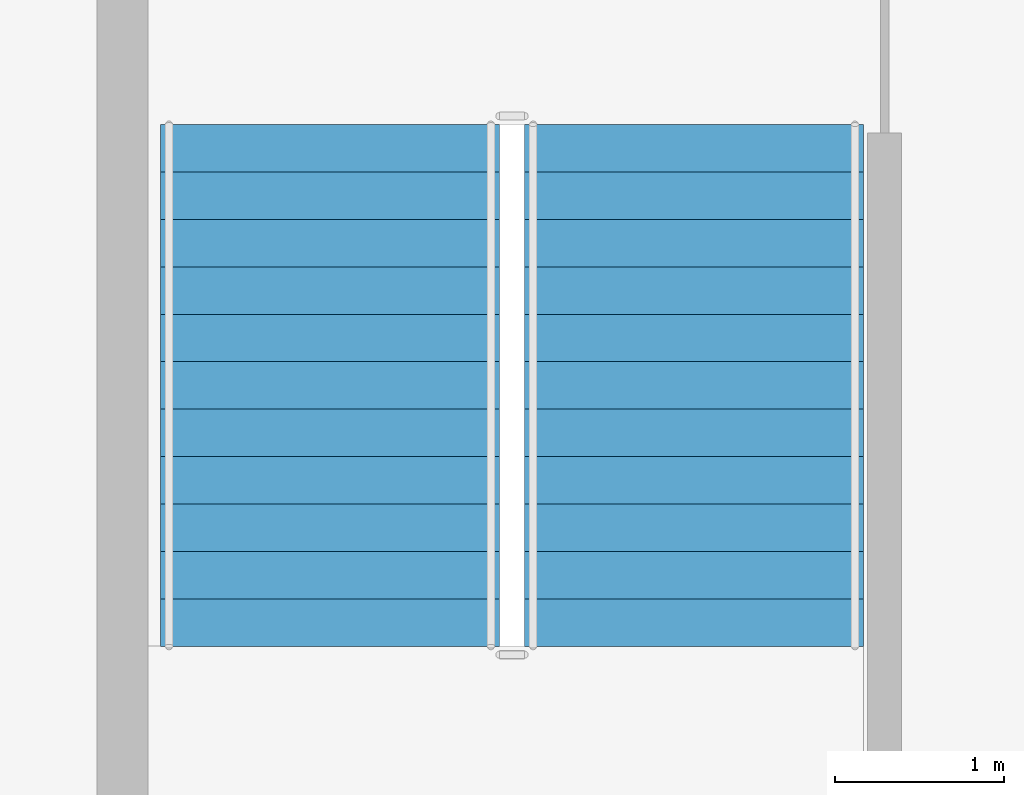
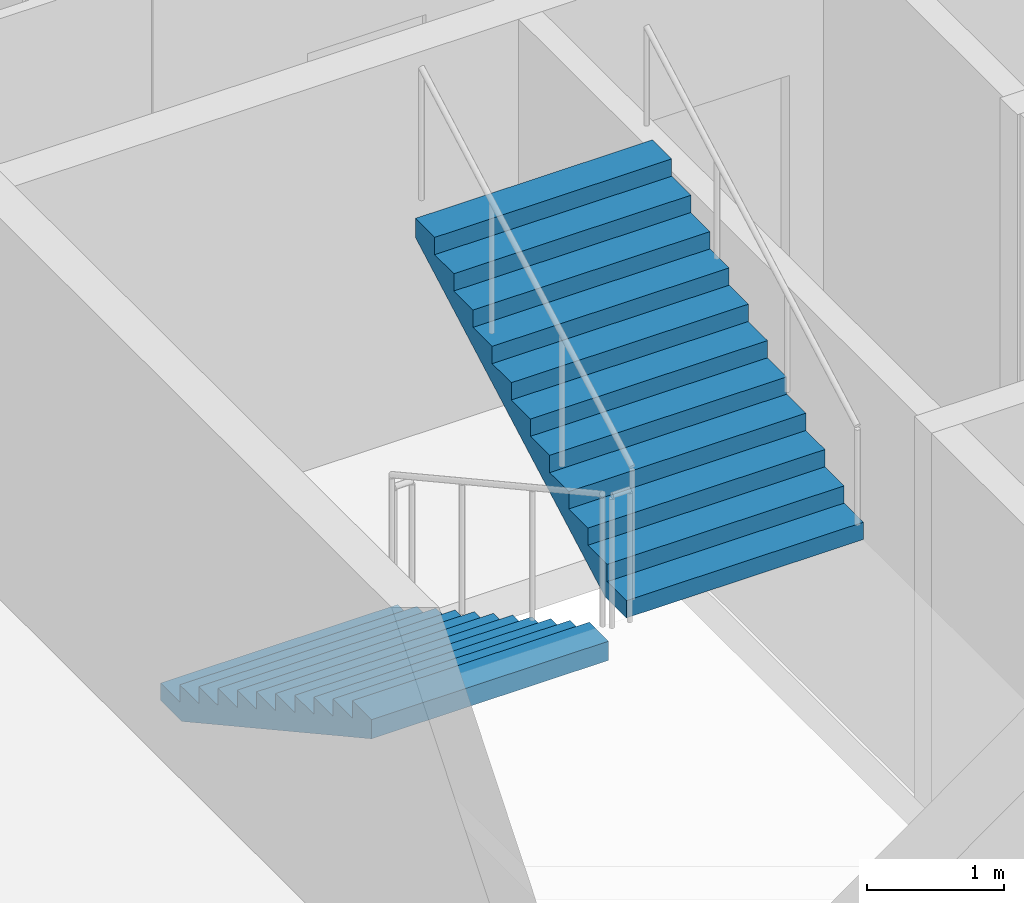
# One storey, part 7 of 11: 2 stair flights, 1 element without a shape of its own.
"""IFC4 building model written with IfcOpenShell, lengths in metres."""

import ifcopenshell
import ifcopenshell.guid

model = None  # the IFC model being written
_history = None  # IfcOwnerHistory: only IFC2X3 demands one
_inside = {}  # id of a spatial element -> (the spatial element, [elements in it])
_under = {}  # id of a project, library or spatial element -> (it, [spatial elements below it])
_declared = {}  # id of a project -> (the project, [libraries it declares])
_typed = {}  # id of a type object -> (the type object, [elements of that type])
_made_of = {}  # id of a material, layer set ... -> (it, [elements and type objects made of it])


def new_model(schema):
    """Start an empty IFC model of exactly this schema.

    Asked for "IFC4X3", IfcOpenShell would pick the latest addendum, in which some entities
    have other attributes; the version numbers below select the first issue.
    IFC2X3 requires an IfcOwnerHistory on every rooted entity: one is made here for all.
    """
    global model, _history
    if schema == "IFC4X3":
        model = ifcopenshell.file(schema_version=(4, 3, 0, 0))
    else:
        model = ifcopenshell.file(schema=schema)
    _inside.clear()
    _under.clear()
    _declared.clear()
    _typed.clear()
    _made_of.clear()
    _history = None
    if model.schema == "IFC2X3":
        org = make("IfcOrganization", Name="unknown")
        user = make(
            "IfcPersonAndOrganization",
            ThePerson=make("IfcPerson", FamilyName="unknown"),
            TheOrganization=org,
        )
        app = make(
            "IfcApplication",
            ApplicationDeveloper=org,
            Version="unknown",
            ApplicationFullName="unknown",
            ApplicationIdentifier="unknown",
        )
        _history = make(
            "IfcOwnerHistory",
            OwningUser=user,
            OwningApplication=app,
            ChangeAction="ADDED",
            CreationDate=0,
        )
    return model


def make(cls, **values):
    """One entity of the class cls with the attributes given. An attribute that is None is left unset."""
    return model.create_entity(
        cls, **{name: value for name, value in values.items() if value is not None}
    )


def rooted(cls, **values):
    """An entity with a GlobalId (a new one), such as an element, a storey or a relation."""
    return make(cls, GlobalId=ifcopenshell.guid.new(), OwnerHistory=_history, **values)


def si_unit(unit_type, name, prefix=None):
    """IfcSIUnit, for example si_unit("LENGTHUNIT", "METRE", prefix="MILLI")."""
    return make("IfcSIUnit", UnitType=unit_type, Prefix=prefix, Name=name)


def assignment(units):
    """IfcUnitAssignment: the units of a project."""
    return None if units is None else make("IfcUnitAssignment", Units=units)


def point(xyz):
    """IfcCartesianPoint."""
    return None if xyz is None else make("IfcCartesianPoint", Coordinates=xyz)


def direction(xyz):
    """IfcDirection."""
    return None if xyz is None else make("IfcDirection", DirectionRatios=xyz)


def frame(location, z_axis=None, x_axis=None):
    """IfcAxis2Placement3D, a coordinate frame: its origin and axes. An axis left out is left unset."""
    return make(
        "IfcAxis2Placement3D",
        Location=point(location),
        Axis=direction(z_axis),
        RefDirection=direction(x_axis),
    )


def origin():
    """The frame at (0, 0, 0) with its axes left unset."""
    return frame((0.0, 0.0, 0.0))


def place(relative_to, where):
    """IfcLocalPlacement: puts the frame where relative to a parent placement (None: the world)."""
    return make(
        "IfcLocalPlacement", PlacementRelTo=relative_to, RelativePlacement=where
    )


def context(
    kind, dimensions, precision=None, world=None, true_north=None, identifier=None
):
    """IfcGeometricRepresentationContext, for example the 3D "Model" context."""
    return make(
        "IfcGeometricRepresentationContext",
        ContextIdentifier=identifier,
        ContextType=kind,
        CoordinateSpaceDimension=dimensions,
        Precision=precision,
        WorldCoordinateSystem=world,
        TrueNorth=true_north,
    )


def subcontext(parent, identifier, kind, view, scale=None):
    """IfcGeometricRepresentationSubContext, for example "Body" below "Model"."""
    return make(
        "IfcGeometricRepresentationSubContext",
        ContextIdentifier=identifier,
        ContextType=kind,
        ParentContext=parent,
        TargetScale=scale,
        TargetView=view,
    )


def project(units=None, contexts=None):
    """IfcProject with its units and contexts."""
    return rooted(
        "IfcProject",
        Name="project",
        RepresentationContexts=contexts,
        UnitsInContext=assignment(units),
    )


def spatial(cls, under=None, at=None, **own):
    """A site, building, storey or space (cls), placed at a placement, below another one or the project."""
    s = rooted(cls, ObjectPlacement=at, **own)
    if under is not None:
        _under.setdefault(under.id(), (under, []))[1].append(s)
    return s


def point_list(points):
    """IfcCartesianPointList2D or 3D."""
    cls = (
        "IfcCartesianPointList2D" if len(points[0]) == 2 else "IfcCartesianPointList3D"
    )
    return make(cls, CoordList=points)


def polygons(points, faces, closed=None, point_numbers=None):
    """IfcPolygonalFaceSet: a face is its outer loop, then its inner loops; points numbered from 1."""
    made = []
    for loops in faces:
        if len(loops) == 1:
            made.append(make("IfcIndexedPolygonalFace", CoordIndex=loops[0]))
        else:
            made.append(
                make(
                    "IfcIndexedPolygonalFaceWithVoids",
                    CoordIndex=loops[0],
                    InnerCoordIndices=loops[1:],
                )
            )
    return make(
        "IfcPolygonalFaceSet",
        Coordinates=point_list(points),
        Closed=closed,
        Faces=made,
        PnIndex=point_numbers,
    )


def shape(context_of_items, identifier, shape_type, items):
    """IfcShapeRepresentation: the items that make up one representation, for example the "Body"."""
    return make(
        "IfcShapeRepresentation",
        ContextOfItems=context_of_items,
        RepresentationIdentifier=identifier,
        RepresentationType=shape_type,
        Items=items,
    )


def material(Name=None, Category=None):
    """IfcMaterial."""
    return make("IfcMaterial", Name=Name, Category=Category)


def made_of(thing, what):
    """Note that an element or type object is made of a material, layer set ...; save() writes the relation."""
    if what is not None:
        _made_of.setdefault(what.id(), (what, []))[1].append(thing)
    return thing


def type_object(cls, material=None, **own):
    """A type object (cls), such as IfcWallType, which elements share."""
    return made_of(rooted(cls, **own), material)


def element(
    cls,
    number,
    at=None,
    inside=None,
    cuts=None,
    type_object=None,
    material=None,
    context=None,
    identifier="Body",
    shape_type=None,
    held_by="IfcProductDefinitionShape",
    body=None,
    shapes=None,
    **own,
):
    """One element of the class cls, such as IfcWall. Its Tag is "e" and its number.

    at: its placement. inside: the storey or other place that contains it. cuts: it is an
    opening in that element (IfcRelVoidsElement). A single representation is given by context,
    identifier, shape_type and body (its items); several are given by shapes. held_by: the class
    of the entity that holds the representations. save() writes the other relations.
    """
    e = rooted(cls, Tag="e%d" % number, ObjectPlacement=at, **own)
    if body is not None:
        shapes = [shape(context, identifier, shape_type, body)]
    if shapes is not None:
        e.Representation = make(held_by, Representations=shapes)
    if inside is not None:
        _inside.setdefault(inside.id(), (inside, []))[1].append(e)
    if cuts is not None:
        rooted(
            "IfcRelVoidsElement", RelatingBuildingElement=cuts, RelatedOpeningElement=e
        )
    if type_object is not None:
        _typed.setdefault(type_object.id(), (type_object, []))[1].append(e)
    return made_of(e, material)


def aggregate(whole, parts):
    """IfcRelAggregates: a whole, such as a stair, and the parts it consists of."""
    return rooted("IfcRelAggregates", RelatingObject=whole, RelatedObjects=parts)


def save(model, path):
    """Write the relations noted so far, then the file.

    IfcRelAggregates (storeys below a building ...), IfcRelContainedInSpatialStructure (elements
    in a storey), IfcRelDefinesByType, IfcRelAssociatesMaterial and IfcRelDeclares: one each for
    every whole, place, type object, material and project.
    """
    for whole, parts in _under.values():
        aggregate(whole, parts)
    for where, things in _inside.values():
        rooted(
            "IfcRelContainedInSpatialStructure",
            RelatedElements=things,
            RelatingStructure=where,
        )
    for kind, things in _typed.values():
        rooted("IfcRelDefinesByType", RelatedObjects=things, RelatingType=kind)
    for what, things in _made_of.values():
        rooted("IfcRelAssociatesMaterial", RelatedObjects=things, RelatingMaterial=what)
    for by, libraries in _declared.values():
        rooted("IfcRelDeclares", RelatingContext=by, RelatedDefinitions=libraries)
    model.write(path)


model = new_model("IFC4")

# Units and contexts
model_context = context("Model", 3, precision=1e-05, world=origin(), true_north=direction((0.0, 1.0)))
body_context = subcontext(model_context, "Body", "Model", "MODEL_VIEW")
ifc_project = project(units=[si_unit("LENGTHUNIT", "METRE"), si_unit("AREAUNIT", "SQUARE_METRE"), si_unit("VOLUMEUNIT", "CUBIC_METRE"), si_unit("PLANEANGLEUNIT", "RADIAN"), si_unit("MASSUNIT", "GRAM", prefix="KILO")], contexts=[model_context])

# Site, building, storey
site_placement = place(None, origin())
site = spatial("IfcSite", under=ifc_project, at=site_placement, CompositionType="ELEMENT")
building_placement = place(site_placement, origin())
building = spatial("IfcBuilding", under=site, at=building_placement, Name="Caravel Reach Hotel and Residences", CompositionType="ELEMENT")
storey_placement = place(building_placement, frame((0.0, 0.0, 298.199951171875)))
storey = spatial("IfcBuildingStorey", under=building, at=storey_placement, Name="L76", CompositionType="ELEMENT", Elevation=298.199951171875)

# Stair, stair flights
ifc_material_1 = material(Name="Concrete C40", Category="concrete")
stair_type = type_object("IfcStairType", Name="Core stair", PredefinedType="HALF_TURN_STAIR", material=ifc_material_1)
stair_placement = place(storey_placement, origin())
stair = element("IfcStair", 1, at=stair_placement, inside=storey, type_object=stair_type, Name="L76 Exit stair A", PredefinedType="HALF_TURN_STAIR")
ifc_material_2 = material(Name="Concrete C40", Category="concrete")
stair_flight_type = type_object("IfcStairFlightType", Name="Core stair flight", PredefinedType="STRAIGHT", material=ifc_material_2)
stair_flight_1_placement = place(storey_placement, frame((19.22509765625, 29.35009765625, 0.0), z_axis=(0.0, 0.0, 1.0), x_axis=(0.0, -1.0, 0.0)))
stair_flight_1 = element("IfcStairFlight", 2, at=stair_flight_1_placement, type_object=stair_flight_type, Name="ST-A flight 1", NumberOfRisers=12, NumberOfTreads=11, PredefinedType="STRAIGHT", RiserHeight=0.154166667, TreadLength=0.28, context=body_context, shape_type="Tessellation", body=[
    polygons([(0.3107950034306102, 1.0, 0.0), (0.3107950034306102, 0.6666666666666667, 0.0), (0.3107950034306102, 0.33333333333333337, 0.0), (0.3107950034306102, 0.0, 0.0), (0.3107950034306102, -0.33333333333333326, 0.0), (0.3107950034306102, -0.6666666666666667, 0.0), (0.3107950034306102, -1.0, 0.0), (3.081, 1.0, 1.524711087717319), (3.081, 0.6666666666666667, 1.524711087717319), (3.081, 0.33333333333333337, 1.524711087717319), (3.081, 0.0, 1.524711087717319), (3.081, -0.33333333333333326, 1.524711087717319), (3.081, -0.6666666666666667, 1.524711087717319), (3.081, -1.0, 1.524711087717319), (3.081, 1.0, 1.695833337), (3.081, 0.6666666666666667, 1.695833337), (3.081, 0.33333333333333337, 1.695833337), (3.081, 0.0, 1.695833337), (3.081, -0.33333333333333326, 1.695833337), (3.081, -0.6666666666666667, 1.695833337), (3.081, -1.0, 1.695833337), (2.8000000000000003, 1.0, 1.695833337), (2.8000000000000003, 0.6666666666666667, 1.695833337), (2.8000000000000003, 0.33333333333333337, 1.695833337), (2.8000000000000003, 0.0, 1.695833337), (2.8000000000000003, -0.33333333333333326, 1.695833337), (2.8000000000000003, -0.6666666666666667, 1.695833337), (2.8000000000000003, -1.0, 1.695833337), (2.8000000000000003, 1.0, 1.5416666700000001), (2.8000000000000003, 0.6666666666666667, 1.5416666700000001), (2.8000000000000003, 0.33333333333333337, 1.5416666700000001), (2.8000000000000003, 0.0, 1.5416666700000001), (2.8000000000000003, -0.33333333333333326, 1.5416666700000001), (2.8000000000000003, -0.6666666666666667, 1.5416666700000001), (2.8000000000000003, -1.0, 1.5416666700000001), (2.5200000000000005, 1.0, 1.5416666700000001), (2.5200000000000005, 0.6666666666666667, 1.5416666700000001), (2.5200000000000005, 0.33333333333333337, 1.5416666700000001), (2.5200000000000005, 0.0, 1.5416666700000001), (2.5200000000000005, -0.33333333333333326, 1.5416666700000001), (2.5200000000000005, -0.6666666666666667, 1.5416666700000001), (2.5200000000000005, -1.0, 1.5416666700000001), (2.5200000000000005, 1.0, 1.387500003), (2.5200000000000005, 0.6666666666666667, 1.387500003), (2.5200000000000005, 0.33333333333333337, 1.387500003), (2.5200000000000005, 0.0, 1.387500003), (2.5200000000000005, -0.33333333333333326, 1.387500003), (2.5200000000000005, -0.6666666666666667, 1.387500003), (2.5200000000000005, -1.0, 1.387500003), (2.24, 1.0, 1.387500003), (2.24, 0.6666666666666667, 1.387500003), (2.24, 0.33333333333333337, 1.387500003), (2.24, 0.0, 1.387500003), (2.24, -0.33333333333333326, 1.387500003), (2.24, -0.6666666666666667, 1.387500003), (2.24, -1.0, 1.387500003), (2.24, 1.0, 1.233333336), (2.24, 0.6666666666666667, 1.233333336), (2.24, 0.33333333333333337, 1.233333336), (2.24, 0.0, 1.233333336), (2.24, -0.33333333333333326, 1.233333336), (2.24, -0.6666666666666667, 1.233333336), (2.24, -1.0, 1.233333336), (1.9600000000000002, 1.0, 1.233333336), (1.9600000000000002, 0.6666666666666667, 1.233333336), (1.9600000000000002, 0.33333333333333337, 1.233333336), (1.9600000000000002, 0.0, 1.233333336), (1.9600000000000002, -0.33333333333333326, 1.233333336), (1.9600000000000002, -0.6666666666666667, 1.233333336), (1.9600000000000002, -1.0, 1.233333336), (1.9600000000000002, 1.0, 1.0791666690000001), (1.9600000000000002, 0.6666666666666667, 1.0791666690000001), (1.9600000000000002, 0.33333333333333337, 1.0791666690000001), (1.9600000000000002, 0.0, 1.0791666690000001), (1.9600000000000002, -0.33333333333333326, 1.0791666690000001), (1.9600000000000002, -0.6666666666666667, 1.0791666690000001), (1.9600000000000002, -1.0, 1.0791666690000001), (1.6800000000000002, 1.0, 1.0791666690000001), (1.6800000000000002, 0.6666666666666667, 1.0791666690000001), (1.6800000000000002, 0.33333333333333337, 1.0791666690000001), (1.6800000000000002, 0.0, 1.0791666690000001), (1.6800000000000002, -0.33333333333333326, 1.0791666690000001), (1.6800000000000002, -0.6666666666666667, 1.0791666690000001), (1.6800000000000002, -1.0, 1.0791666690000001), (1.6800000000000002, 1.0, 0.925000002), (1.6800000000000002, 0.6666666666666667, 0.925000002), (1.6800000000000002, 0.33333333333333337, 0.925000002), (1.6800000000000002, 0.0, 0.925000002), (1.6800000000000002, -0.33333333333333326, 0.925000002), (1.6800000000000002, -0.6666666666666667, 0.925000002), (1.6800000000000002, -1.0, 0.925000002), (1.4000000000000001, 1.0, 0.925000002), (1.4000000000000001, 0.6666666666666667, 0.925000002), (1.4000000000000001, 0.33333333333333337, 0.925000002), (1.4000000000000001, 0.0, 0.925000002), (1.4000000000000001, -0.33333333333333326, 0.925000002), (1.4000000000000001, -0.6666666666666667, 0.925000002), (1.4000000000000001, -1.0, 0.925000002), (1.4000000000000001, 1.0, 0.7708333350000001), (1.4000000000000001, 0.6666666666666667, 0.7708333350000001), (1.4000000000000001, 0.33333333333333337, 0.7708333350000001), (1.4000000000000001, 0.0, 0.7708333350000001), (1.4000000000000001, -0.33333333333333326, 0.7708333350000001), (1.4000000000000001, -0.6666666666666667, 0.7708333350000001), (1.4000000000000001, -1.0, 0.7708333350000001), (1.12, 1.0, 0.7708333350000001), (1.12, 0.6666666666666667, 0.7708333350000001), (1.12, 0.33333333333333337, 0.7708333350000001), (1.12, 0.0, 0.7708333350000001), (1.12, -0.33333333333333326, 0.7708333350000001), (1.12, -0.6666666666666667, 0.7708333350000001), (1.12, -1.0, 0.7708333350000001), (1.12, 1.0, 0.616666668), (1.12, 0.6666666666666667, 0.616666668), (1.12, 0.33333333333333337, 0.616666668), (1.12, 0.0, 0.616666668), (1.12, -0.33333333333333326, 0.616666668), (1.12, -0.6666666666666667, 0.616666668), (1.12, -1.0, 0.616666668), (0.8400000000000001, 1.0, 0.616666668), (0.8400000000000001, 0.6666666666666667, 0.616666668), (0.8400000000000001, 0.33333333333333337, 0.616666668), (0.8400000000000001, 0.0, 0.616666668), (0.8400000000000001, -0.33333333333333326, 0.616666668), (0.8400000000000001, -0.6666666666666667, 0.616666668), (0.8400000000000001, -1.0, 0.616666668), (0.8400000000000001, 1.0, 0.462500001), (0.8400000000000001, 0.6666666666666667, 0.462500001), (0.8400000000000001, 0.33333333333333337, 0.462500001), (0.8400000000000001, 0.0, 0.462500001), (0.8400000000000001, -0.33333333333333326, 0.462500001), (0.8400000000000001, -0.6666666666666667, 0.462500001), (0.8400000000000001, -1.0, 0.462500001), (0.56, 1.0, 0.462500001), (0.56, 0.6666666666666667, 0.462500001), (0.56, 0.33333333333333337, 0.462500001), (0.56, 0.0, 0.462500001), (0.56, -0.33333333333333326, 0.462500001), (0.56, -0.6666666666666667, 0.462500001), (0.56, -1.0, 0.462500001), (0.56, 1.0, 0.308333334), (0.56, 0.6666666666666667, 0.308333334), (0.56, 0.33333333333333337, 0.308333334), (0.56, 0.0, 0.308333334), (0.56, -0.33333333333333326, 0.308333334), (0.56, -0.6666666666666667, 0.308333334), (0.56, -1.0, 0.308333334), (0.28, 1.0, 0.308333334), (0.28, 0.6666666666666667, 0.308333334), (0.28, 0.33333333333333337, 0.308333334), (0.28, 0.0, 0.308333334), (0.28, -0.33333333333333326, 0.308333334), (0.28, -0.6666666666666667, 0.308333334), (0.28, -1.0, 0.308333334), (0.28, 1.0, 0.154166667), (0.28, 0.6666666666666667, 0.154166667), (0.28, 0.33333333333333337, 0.154166667), (0.28, 0.0, 0.154166667), (0.28, -0.33333333333333326, 0.154166667), (0.28, -0.6666666666666667, 0.154166667), (0.28, -1.0, 0.154166667), (-0.001, 1.0, 0.154166667), (-0.001, 0.6666666666666667, 0.154166667), (-0.001, 0.33333333333333337, 0.154166667), (-0.001, 0.0, 0.154166667), (-0.001, -0.33333333333333326, 0.154166667), (-0.001, -0.6666666666666667, 0.154166667), (-0.001, -1.0, 0.154166667), (-0.001, 1.0, 0.0), (-0.001, 0.6666666666666667, 0.0), (-0.001, 0.33333333333333337, 0.0), (-0.001, 0.0, 0.0), (-0.001, -0.33333333333333326, 0.0), (-0.001, -0.6666666666666667, 0.0), (-0.001, -1.0, 0.0)], [[[169, 162, 155, 148, 141, 134, 127, 120, 113, 106, 99, 92, 85, 78, 71, 64, 57, 50, 43, 36, 29, 22, 15, 8, 1]], [[7, 14, 21, 28, 35, 42, 49, 56, 63, 70, 77, 84, 91, 98, 105, 112, 119, 126, 133, 140, 147, 154, 161, 168, 175]], [[1, 8, 9, 2]], [[2, 9, 10, 3]], [[3, 10, 11, 4]], [[4, 11, 12, 5]], [[5, 12, 13, 6]], [[6, 13, 14, 7]], [[8, 15, 16, 9]], [[9, 16, 17, 10]], [[10, 17, 18, 11]], [[11, 18, 19, 12]], [[12, 19, 20, 13]], [[13, 20, 21, 14]], [[15, 22, 23, 16]], [[16, 23, 24, 17]], [[17, 24, 25, 18]], [[18, 25, 26, 19]], [[19, 26, 27, 20]], [[20, 27, 28, 21]], [[22, 29, 30, 23]], [[23, 30, 31, 24]], [[24, 31, 32, 25]], [[25, 32, 33, 26]], [[26, 33, 34, 27]], [[27, 34, 35, 28]], [[29, 36, 37, 30]], [[30, 37, 38, 31]], [[31, 38, 39, 32]], [[32, 39, 40, 33]], [[33, 40, 41, 34]], [[34, 41, 42, 35]], [[36, 43, 44, 37]], [[37, 44, 45, 38]], [[38, 45, 46, 39]], [[39, 46, 47, 40]], [[40, 47, 48, 41]], [[41, 48, 49, 42]], [[43, 50, 51, 44]], [[44, 51, 52, 45]], [[45, 52, 53, 46]], [[46, 53, 54, 47]], [[47, 54, 55, 48]], [[48, 55, 56, 49]], [[50, 57, 58, 51]], [[51, 58, 59, 52]], [[52, 59, 60, 53]], [[53, 60, 61, 54]], [[54, 61, 62, 55]], [[55, 62, 63, 56]], [[57, 64, 65, 58]], [[58, 65, 66, 59]], [[59, 66, 67, 60]], [[60, 67, 68, 61]], [[61, 68, 69, 62]], [[62, 69, 70, 63]], [[64, 71, 72, 65]], [[65, 72, 73, 66]], [[66, 73, 74, 67]], [[67, 74, 75, 68]], [[68, 75, 76, 69]], [[69, 76, 77, 70]], [[71, 78, 79, 72]], [[72, 79, 80, 73]], [[73, 80, 81, 74]], [[74, 81, 82, 75]], [[75, 82, 83, 76]], [[76, 83, 84, 77]], [[78, 85, 86, 79]], [[79, 86, 87, 80]], [[80, 87, 88, 81]], [[81, 88, 89, 82]], [[82, 89, 90, 83]], [[83, 90, 91, 84]], [[85, 92, 93, 86]], [[86, 93, 94, 87]], [[87, 94, 95, 88]], [[88, 95, 96, 89]], [[89, 96, 97, 90]], [[90, 97, 98, 91]], [[92, 99, 100, 93]], [[93, 100, 101, 94]], [[94, 101, 102, 95]], [[95, 102, 103, 96]], [[96, 103, 104, 97]], [[97, 104, 105, 98]], [[99, 106, 107, 100]], [[100, 107, 108, 101]], [[101, 108, 109, 102]], [[102, 109, 110, 103]], [[103, 110, 111, 104]], [[104, 111, 112, 105]], [[106, 113, 114, 107]], [[107, 114, 115, 108]], [[108, 115, 116, 109]], [[109, 116, 117, 110]], [[110, 117, 118, 111]], [[111, 118, 119, 112]], [[113, 120, 121, 114]], [[114, 121, 122, 115]], [[115, 122, 123, 116]], [[116, 123, 124, 117]], [[117, 124, 125, 118]], [[118, 125, 126, 119]], [[120, 127, 128, 121]], [[121, 128, 129, 122]], [[122, 129, 130, 123]], [[123, 130, 131, 124]], [[124, 131, 132, 125]], [[125, 132, 133, 126]], [[127, 134, 135, 128]], [[128, 135, 136, 129]], [[129, 136, 137, 130]], [[130, 137, 138, 131]], [[131, 138, 139, 132]], [[132, 139, 140, 133]], [[134, 141, 142, 135]], [[135, 142, 143, 136]], [[136, 143, 144, 137]], [[137, 144, 145, 138]], [[138, 145, 146, 139]], [[139, 146, 147, 140]], [[141, 148, 149, 142]], [[142, 149, 150, 143]], [[143, 150, 151, 144]], [[144, 151, 152, 145]], [[145, 152, 153, 146]], [[146, 153, 154, 147]], [[148, 155, 156, 149]], [[149, 156, 157, 150]], [[150, 157, 158, 151]], [[151, 158, 159, 152]], [[152, 159, 160, 153]], [[153, 160, 161, 154]], [[155, 162, 163, 156]], [[156, 163, 164, 157]], [[157, 164, 165, 158]], [[158, 165, 166, 159]], [[159, 166, 167, 160]], [[160, 167, 168, 161]], [[162, 169, 170, 163]], [[163, 170, 171, 164]], [[164, 171, 172, 165]], [[165, 172, 173, 166]], [[166, 173, 174, 167]], [[167, 174, 175, 168]], [[169, 1, 2, 170]], [[170, 2, 3, 171]], [[171, 3, 4, 172]], [[172, 4, 5, 173]], [[173, 5, 6, 174]], [[174, 6, 7, 175]]], closed=True),
])
stair_flight_2_placement = place(storey_placement, frame((21.375, 26.27001953125, 1.85009765625), z_axis=(0.0, 0.0, 1.0), x_axis=(0.0, 1.0, 0.0)))
stair_flight_2 = element("IfcStairFlight", 3, at=stair_flight_2_placement, type_object=stair_flight_type, Name="ST-A flight 2", NumberOfRisers=12, NumberOfTreads=11, PredefinedType="STRAIGHT", RiserHeight=0.154166667, TreadLength=0.28, context=body_context, shape_type="Tessellation", body=[
    polygons([(0.3107950034306102, 1.0, 0.0), (0.3107950034306102, 0.6666666666666667, 0.0), (0.3107950034306102, 0.33333333333333337, 0.0), (0.3107950034306102, 0.0, 0.0), (0.3107950034306102, -0.33333333333333326, 0.0), (0.3107950034306102, -0.6666666666666667, 0.0), (0.3107950034306102, -1.0, 0.0), (3.081, 1.0, 1.524711087717319), (3.081, 0.6666666666666667, 1.524711087717319), (3.081, 0.33333333333333337, 1.524711087717319), (3.081, 0.0, 1.524711087717319), (3.081, -0.33333333333333326, 1.524711087717319), (3.081, -0.6666666666666667, 1.524711087717319), (3.081, -1.0, 1.524711087717319), (3.081, 1.0, 1.695833337), (3.081, 0.6666666666666667, 1.695833337), (3.081, 0.33333333333333337, 1.695833337), (3.081, 0.0, 1.695833337), (3.081, -0.33333333333333326, 1.695833337), (3.081, -0.6666666666666667, 1.695833337), (3.081, -1.0, 1.695833337), (2.8000000000000003, 1.0, 1.695833337), (2.8000000000000003, 0.6666666666666667, 1.695833337), (2.8000000000000003, 0.33333333333333337, 1.695833337), (2.8000000000000003, 0.0, 1.695833337), (2.8000000000000003, -0.33333333333333326, 1.695833337), (2.8000000000000003, -0.6666666666666667, 1.695833337), (2.8000000000000003, -1.0, 1.695833337), (2.8000000000000003, 1.0, 1.5416666700000001), (2.8000000000000003, 0.6666666666666667, 1.5416666700000001), (2.8000000000000003, 0.33333333333333337, 1.5416666700000001), (2.8000000000000003, 0.0, 1.5416666700000001), (2.8000000000000003, -0.33333333333333326, 1.5416666700000001), (2.8000000000000003, -0.6666666666666667, 1.5416666700000001), (2.8000000000000003, -1.0, 1.5416666700000001), (2.5200000000000005, 1.0, 1.5416666700000001), (2.5200000000000005, 0.6666666666666667, 1.5416666700000001), (2.5200000000000005, 0.33333333333333337, 1.5416666700000001), (2.5200000000000005, 0.0, 1.5416666700000001), (2.5200000000000005, -0.33333333333333326, 1.5416666700000001), (2.5200000000000005, -0.6666666666666667, 1.5416666700000001), (2.5200000000000005, -1.0, 1.5416666700000001), (2.5200000000000005, 1.0, 1.387500003), (2.5200000000000005, 0.6666666666666667, 1.387500003), (2.5200000000000005, 0.33333333333333337, 1.387500003), (2.5200000000000005, 0.0, 1.387500003), (2.5200000000000005, -0.33333333333333326, 1.387500003), (2.5200000000000005, -0.6666666666666667, 1.387500003), (2.5200000000000005, -1.0, 1.387500003), (2.24, 1.0, 1.387500003), (2.24, 0.6666666666666667, 1.387500003), (2.24, 0.33333333333333337, 1.387500003), (2.24, 0.0, 1.387500003), (2.24, -0.33333333333333326, 1.387500003), (2.24, -0.6666666666666667, 1.387500003), (2.24, -1.0, 1.387500003), (2.24, 1.0, 1.233333336), (2.24, 0.6666666666666667, 1.233333336), (2.24, 0.33333333333333337, 1.233333336), (2.24, 0.0, 1.233333336), (2.24, -0.33333333333333326, 1.233333336), (2.24, -0.6666666666666667, 1.233333336), (2.24, -1.0, 1.233333336), (1.9600000000000002, 1.0, 1.233333336), (1.9600000000000002, 0.6666666666666667, 1.233333336), (1.9600000000000002, 0.33333333333333337, 1.233333336), (1.9600000000000002, 0.0, 1.233333336), (1.9600000000000002, -0.33333333333333326, 1.233333336), (1.9600000000000002, -0.6666666666666667, 1.233333336), (1.9600000000000002, -1.0, 1.233333336), (1.9600000000000002, 1.0, 1.0791666690000001), (1.9600000000000002, 0.6666666666666667, 1.0791666690000001), (1.9600000000000002, 0.33333333333333337, 1.0791666690000001), (1.9600000000000002, 0.0, 1.0791666690000001), (1.9600000000000002, -0.33333333333333326, 1.0791666690000001), (1.9600000000000002, -0.6666666666666667, 1.0791666690000001), (1.9600000000000002, -1.0, 1.0791666690000001), (1.6800000000000002, 1.0, 1.0791666690000001), (1.6800000000000002, 0.6666666666666667, 1.0791666690000001), (1.6800000000000002, 0.33333333333333337, 1.0791666690000001), (1.6800000000000002, 0.0, 1.0791666690000001), (1.6800000000000002, -0.33333333333333326, 1.0791666690000001), (1.6800000000000002, -0.6666666666666667, 1.0791666690000001), (1.6800000000000002, -1.0, 1.0791666690000001), (1.6800000000000002, 1.0, 0.925000002), (1.6800000000000002, 0.6666666666666667, 0.925000002), (1.6800000000000002, 0.33333333333333337, 0.925000002), (1.6800000000000002, 0.0, 0.925000002), (1.6800000000000002, -0.33333333333333326, 0.925000002), (1.6800000000000002, -0.6666666666666667, 0.925000002), (1.6800000000000002, -1.0, 0.925000002), (1.4000000000000001, 1.0, 0.925000002), (1.4000000000000001, 0.6666666666666667, 0.925000002), (1.4000000000000001, 0.33333333333333337, 0.925000002), (1.4000000000000001, 0.0, 0.925000002), (1.4000000000000001, -0.33333333333333326, 0.925000002), (1.4000000000000001, -0.6666666666666667, 0.925000002), (1.4000000000000001, -1.0, 0.925000002), (1.4000000000000001, 1.0, 0.7708333350000001), (1.4000000000000001, 0.6666666666666667, 0.7708333350000001), (1.4000000000000001, 0.33333333333333337, 0.7708333350000001), (1.4000000000000001, 0.0, 0.7708333350000001), (1.4000000000000001, -0.33333333333333326, 0.7708333350000001), (1.4000000000000001, -0.6666666666666667, 0.7708333350000001), (1.4000000000000001, -1.0, 0.7708333350000001), (1.12, 1.0, 0.7708333350000001), (1.12, 0.6666666666666667, 0.7708333350000001), (1.12, 0.33333333333333337, 0.7708333350000001), (1.12, 0.0, 0.7708333350000001), (1.12, -0.33333333333333326, 0.7708333350000001), (1.12, -0.6666666666666667, 0.7708333350000001), (1.12, -1.0, 0.7708333350000001), (1.12, 1.0, 0.616666668), (1.12, 0.6666666666666667, 0.616666668), (1.12, 0.33333333333333337, 0.616666668), (1.12, 0.0, 0.616666668), (1.12, -0.33333333333333326, 0.616666668), (1.12, -0.6666666666666667, 0.616666668), (1.12, -1.0, 0.616666668), (0.8400000000000001, 1.0, 0.616666668), (0.8400000000000001, 0.6666666666666667, 0.616666668), (0.8400000000000001, 0.33333333333333337, 0.616666668), (0.8400000000000001, 0.0, 0.616666668), (0.8400000000000001, -0.33333333333333326, 0.616666668), (0.8400000000000001, -0.6666666666666667, 0.616666668), (0.8400000000000001, -1.0, 0.616666668), (0.8400000000000001, 1.0, 0.462500001), (0.8400000000000001, 0.6666666666666667, 0.462500001), (0.8400000000000001, 0.33333333333333337, 0.462500001), (0.8400000000000001, 0.0, 0.462500001), (0.8400000000000001, -0.33333333333333326, 0.462500001), (0.8400000000000001, -0.6666666666666667, 0.462500001), (0.8400000000000001, -1.0, 0.462500001), (0.56, 1.0, 0.462500001), (0.56, 0.6666666666666667, 0.462500001), (0.56, 0.33333333333333337, 0.462500001), (0.56, 0.0, 0.462500001), (0.56, -0.33333333333333326, 0.462500001), (0.56, -0.6666666666666667, 0.462500001), (0.56, -1.0, 0.462500001), (0.56, 1.0, 0.308333334), (0.56, 0.6666666666666667, 0.308333334), (0.56, 0.33333333333333337, 0.308333334), (0.56, 0.0, 0.308333334), (0.56, -0.33333333333333326, 0.308333334), (0.56, -0.6666666666666667, 0.308333334), (0.56, -1.0, 0.308333334), (0.28, 1.0, 0.308333334), (0.28, 0.6666666666666667, 0.308333334), (0.28, 0.33333333333333337, 0.308333334), (0.28, 0.0, 0.308333334), (0.28, -0.33333333333333326, 0.308333334), (0.28, -0.6666666666666667, 0.308333334), (0.28, -1.0, 0.308333334), (0.28, 1.0, 0.154166667), (0.28, 0.6666666666666667, 0.154166667), (0.28, 0.33333333333333337, 0.154166667), (0.28, 0.0, 0.154166667), (0.28, -0.33333333333333326, 0.154166667), (0.28, -0.6666666666666667, 0.154166667), (0.28, -1.0, 0.154166667), (-0.001, 1.0, 0.154166667), (-0.001, 0.6666666666666667, 0.154166667), (-0.001, 0.33333333333333337, 0.154166667), (-0.001, 0.0, 0.154166667), (-0.001, -0.33333333333333326, 0.154166667), (-0.001, -0.6666666666666667, 0.154166667), (-0.001, -1.0, 0.154166667), (-0.001, 1.0, 0.0), (-0.001, 0.6666666666666667, 0.0), (-0.001, 0.33333333333333337, 0.0), (-0.001, 0.0, 0.0), (-0.001, -0.33333333333333326, 0.0), (-0.001, -0.6666666666666667, 0.0), (-0.001, -1.0, 0.0)], [[[169, 162, 155, 148, 141, 134, 127, 120, 113, 106, 99, 92, 85, 78, 71, 64, 57, 50, 43, 36, 29, 22, 15, 8, 1]], [[7, 14, 21, 28, 35, 42, 49, 56, 63, 70, 77, 84, 91, 98, 105, 112, 119, 126, 133, 140, 147, 154, 161, 168, 175]], [[1, 8, 9, 2]], [[2, 9, 10, 3]], [[3, 10, 11, 4]], [[4, 11, 12, 5]], [[5, 12, 13, 6]], [[6, 13, 14, 7]], [[8, 15, 16, 9]], [[9, 16, 17, 10]], [[10, 17, 18, 11]], [[11, 18, 19, 12]], [[12, 19, 20, 13]], [[13, 20, 21, 14]], [[15, 22, 23, 16]], [[16, 23, 24, 17]], [[17, 24, 25, 18]], [[18, 25, 26, 19]], [[19, 26, 27, 20]], [[20, 27, 28, 21]], [[22, 29, 30, 23]], [[23, 30, 31, 24]], [[24, 31, 32, 25]], [[25, 32, 33, 26]], [[26, 33, 34, 27]], [[27, 34, 35, 28]], [[29, 36, 37, 30]], [[30, 37, 38, 31]], [[31, 38, 39, 32]], [[32, 39, 40, 33]], [[33, 40, 41, 34]], [[34, 41, 42, 35]], [[36, 43, 44, 37]], [[37, 44, 45, 38]], [[38, 45, 46, 39]], [[39, 46, 47, 40]], [[40, 47, 48, 41]], [[41, 48, 49, 42]], [[43, 50, 51, 44]], [[44, 51, 52, 45]], [[45, 52, 53, 46]], [[46, 53, 54, 47]], [[47, 54, 55, 48]], [[48, 55, 56, 49]], [[50, 57, 58, 51]], [[51, 58, 59, 52]], [[52, 59, 60, 53]], [[53, 60, 61, 54]], [[54, 61, 62, 55]], [[55, 62, 63, 56]], [[57, 64, 65, 58]], [[58, 65, 66, 59]], [[59, 66, 67, 60]], [[60, 67, 68, 61]], [[61, 68, 69, 62]], [[62, 69, 70, 63]], [[64, 71, 72, 65]], [[65, 72, 73, 66]], [[66, 73, 74, 67]], [[67, 74, 75, 68]], [[68, 75, 76, 69]], [[69, 76, 77, 70]], [[71, 78, 79, 72]], [[72, 79, 80, 73]], [[73, 80, 81, 74]], [[74, 81, 82, 75]], [[75, 82, 83, 76]], [[76, 83, 84, 77]], [[78, 85, 86, 79]], [[79, 86, 87, 80]], [[80, 87, 88, 81]], [[81, 88, 89, 82]], [[82, 89, 90, 83]], [[83, 90, 91, 84]], [[85, 92, 93, 86]], [[86, 93, 94, 87]], [[87, 94, 95, 88]], [[88, 95, 96, 89]], [[89, 96, 97, 90]], [[90, 97, 98, 91]], [[92, 99, 100, 93]], [[93, 100, 101, 94]], [[94, 101, 102, 95]], [[95, 102, 103, 96]], [[96, 103, 104, 97]], [[97, 104, 105, 98]], [[99, 106, 107, 100]], [[100, 107, 108, 101]], [[101, 108, 109, 102]], [[102, 109, 110, 103]], [[103, 110, 111, 104]], [[104, 111, 112, 105]], [[106, 113, 114, 107]], [[107, 114, 115, 108]], [[108, 115, 116, 109]], [[109, 116, 117, 110]], [[110, 117, 118, 111]], [[111, 118, 119, 112]], [[113, 120, 121, 114]], [[114, 121, 122, 115]], [[115, 122, 123, 116]], [[116, 123, 124, 117]], [[117, 124, 125, 118]], [[118, 125, 126, 119]], [[120, 127, 128, 121]], [[121, 128, 129, 122]], [[122, 129, 130, 123]], [[123, 130, 131, 124]], [[124, 131, 132, 125]], [[125, 132, 133, 126]], [[127, 134, 135, 128]], [[128, 135, 136, 129]], [[129, 136, 137, 130]], [[130, 137, 138, 131]], [[131, 138, 139, 132]], [[132, 139, 140, 133]], [[134, 141, 142, 135]], [[135, 142, 143, 136]], [[136, 143, 144, 137]], [[137, 144, 145, 138]], [[138, 145, 146, 139]], [[139, 146, 147, 140]], [[141, 148, 149, 142]], [[142, 149, 150, 143]], [[143, 150, 151, 144]], [[144, 151, 152, 145]], [[145, 152, 153, 146]], [[146, 153, 154, 147]], [[148, 155, 156, 149]], [[149, 156, 157, 150]], [[150, 157, 158, 151]], [[151, 158, 159, 152]], [[152, 159, 160, 153]], [[153, 160, 161, 154]], [[155, 162, 163, 156]], [[156, 163, 164, 157]], [[157, 164, 165, 158]], [[158, 165, 166, 159]], [[159, 166, 167, 160]], [[160, 167, 168, 161]], [[162, 169, 170, 163]], [[163, 170, 171, 164]], [[164, 171, 172, 165]], [[165, 172, 173, 166]], [[166, 173, 174, 167]], [[167, 174, 175, 168]], [[169, 1, 2, 170]], [[170, 2, 3, 171]], [[171, 3, 4, 172]], [[172, 4, 5, 173]], [[173, 5, 6, 174]], [[174, 6, 7, 175]]], closed=True),
])
aggregate(stair, [stair_flight_1, stair_flight_2])

save(model, "model.ifc")
